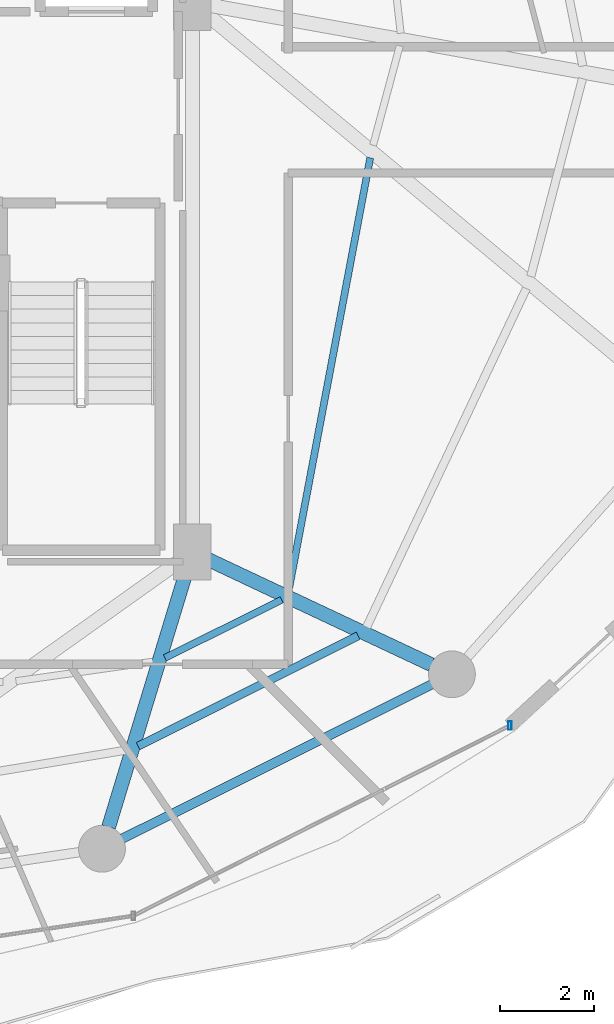
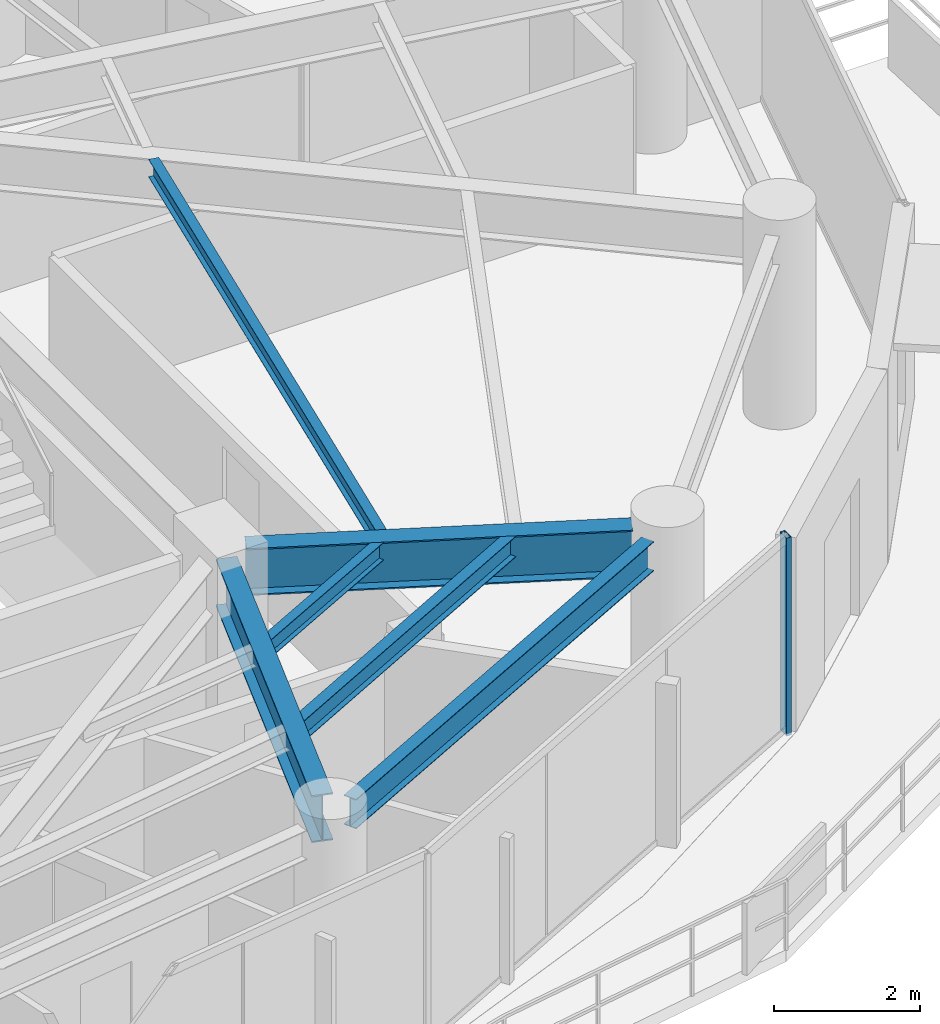
# One storey, part 12 of 31: 6 beams, 1 member, 1 element without a shape of its own.
"""IFC4 building model written with IfcOpenShell, lengths in metres."""

import ifcopenshell
import ifcopenshell.guid

model = None  # the IFC model being written
_history = None  # IfcOwnerHistory: only IFC2X3 demands one
_inside = {}  # id of a spatial element -> (the spatial element, [elements in it])
_under = {}  # id of a project, library or spatial element -> (it, [spatial elements below it])
_declared = {}  # id of a project -> (the project, [libraries it declares])
_typed = {}  # id of a type object -> (the type object, [elements of that type])
_made_of = {}  # id of a material, layer set ... -> (it, [elements and type objects made of it])


def new_model(schema):
    """Start an empty IFC model of exactly this schema.

    Asked for "IFC4X3", IfcOpenShell would pick the latest addendum, in which some entities
    have other attributes; the version numbers below select the first issue.
    IFC2X3 requires an IfcOwnerHistory on every rooted entity: one is made here for all.
    """
    global model, _history
    if schema == "IFC4X3":
        model = ifcopenshell.file(schema_version=(4, 3, 0, 0))
    else:
        model = ifcopenshell.file(schema=schema)
    _inside.clear()
    _under.clear()
    _declared.clear()
    _typed.clear()
    _made_of.clear()
    _history = None
    if model.schema == "IFC2X3":
        org = make("IfcOrganization", Name="unknown")
        user = make(
            "IfcPersonAndOrganization",
            ThePerson=make("IfcPerson", FamilyName="unknown"),
            TheOrganization=org,
        )
        app = make(
            "IfcApplication",
            ApplicationDeveloper=org,
            Version="unknown",
            ApplicationFullName="unknown",
            ApplicationIdentifier="unknown",
        )
        _history = make(
            "IfcOwnerHistory",
            OwningUser=user,
            OwningApplication=app,
            ChangeAction="ADDED",
            CreationDate=0,
        )
    return model


def make(cls, **values):
    """One entity of the class cls with the attributes given. An attribute that is None is left unset."""
    return model.create_entity(
        cls, **{name: value for name, value in values.items() if value is not None}
    )


def rooted(cls, **values):
    """An entity with a GlobalId (a new one), such as an element, a storey or a relation."""
    return make(cls, GlobalId=ifcopenshell.guid.new(), OwnerHistory=_history, **values)


def si_unit(unit_type, name, prefix=None):
    """IfcSIUnit, for example si_unit("LENGTHUNIT", "METRE", prefix="MILLI")."""
    return make("IfcSIUnit", UnitType=unit_type, Prefix=prefix, Name=name)


def assignment(units):
    """IfcUnitAssignment: the units of a project."""
    return None if units is None else make("IfcUnitAssignment", Units=units)


def point(xyz):
    """IfcCartesianPoint."""
    return None if xyz is None else make("IfcCartesianPoint", Coordinates=xyz)


def direction(xyz):
    """IfcDirection."""
    return None if xyz is None else make("IfcDirection", DirectionRatios=xyz)


def frame(location, z_axis=None, x_axis=None):
    """IfcAxis2Placement3D, a coordinate frame: its origin and axes. An axis left out is left unset."""
    return make(
        "IfcAxis2Placement3D",
        Location=point(location),
        Axis=direction(z_axis),
        RefDirection=direction(x_axis),
    )


def frame_2d(location, x_axis=None):
    """IfcAxis2Placement2D, a coordinate frame in the plane: its origin and x axis."""
    return make(
        "IfcAxis2Placement2D", Location=point(location), RefDirection=direction(x_axis)
    )


def origin():
    """The frame at (0, 0, 0) with its axes left unset."""
    return frame((0.0, 0.0, 0.0))


def origin_2d():
    """The frame at (0, 0) in the plane with its x axis left unset."""
    return frame_2d((0.0, 0.0))


def place(relative_to, where):
    """IfcLocalPlacement: puts the frame where relative to a parent placement (None: the world)."""
    return make(
        "IfcLocalPlacement", PlacementRelTo=relative_to, RelativePlacement=where
    )


def context(
    kind, dimensions, precision=None, world=None, true_north=None, identifier=None
):
    """IfcGeometricRepresentationContext, for example the 3D "Model" context."""
    return make(
        "IfcGeometricRepresentationContext",
        ContextIdentifier=identifier,
        ContextType=kind,
        CoordinateSpaceDimension=dimensions,
        Precision=precision,
        WorldCoordinateSystem=world,
        TrueNorth=true_north,
    )


def subcontext(parent, identifier, kind, view, scale=None):
    """IfcGeometricRepresentationSubContext, for example "Body" below "Model"."""
    return make(
        "IfcGeometricRepresentationSubContext",
        ContextIdentifier=identifier,
        ContextType=kind,
        ParentContext=parent,
        TargetScale=scale,
        TargetView=view,
    )


def project(units=None, contexts=None):
    """IfcProject with its units and contexts."""
    return rooted(
        "IfcProject",
        Name="project",
        RepresentationContexts=contexts,
        UnitsInContext=assignment(units),
    )


def spatial(cls, under=None, at=None, **own):
    """A site, building, storey or space (cls), placed at a placement, below another one or the project."""
    s = rooted(cls, ObjectPlacement=at, **own)
    if under is not None:
        _under.setdefault(under.id(), (under, []))[1].append(s)
    return s


def profile(cls, at=None, kind="AREA", **sizes):
    """A parametric profile (cls). Its sizes go by their IFC names, for example OverallWidth=200.0."""
    return make(cls, ProfileType=kind, Position=at, **sizes)


def hollow_rectangle(**sizes):
    """IfcRectangleHollowProfileDef."""
    return profile("IfcRectangleHollowProfileDef", **sizes)


def i_section(**sizes):
    """IfcIShapeProfileDef."""
    return profile("IfcIShapeProfileDef", **sizes)


def extrude(swept, where, along, depth):
    """IfcExtrudedAreaSolid: the profile swept, set in the frame where, extruded along a direction by depth."""
    return make(
        "IfcExtrudedAreaSolid",
        SweptArea=swept,
        Position=where,
        ExtrudedDirection=direction(along),
        Depth=depth,
    )


def shape(context_of_items, identifier, shape_type, items):
    """IfcShapeRepresentation: the items that make up one representation, for example the "Body"."""
    return make(
        "IfcShapeRepresentation",
        ContextOfItems=context_of_items,
        RepresentationIdentifier=identifier,
        RepresentationType=shape_type,
        Items=items,
    )


def material(Name=None, Category=None):
    """IfcMaterial."""
    return make("IfcMaterial", Name=Name, Category=Category)


def material_profile(
    of_material, cross_section, Name=None, Category=None, Priority=None
):
    """IfcMaterialProfile: a cross section and its material."""
    return make(
        "IfcMaterialProfile",
        Name=Name,
        Material=of_material,
        Profile=cross_section,
        Priority=Priority,
        Category=Category,
    )


def profile_set(profiles, Name=None, composite=None):
    """IfcMaterialProfileSet."""
    return make(
        "IfcMaterialProfileSet",
        Name=Name,
        MaterialProfiles=profiles,
        CompositeProfile=composite,
    )


def made_of(thing, what):
    """Note that an element or type object is made of a material, layer set ...; save() writes the relation."""
    if what is not None:
        _made_of.setdefault(what.id(), (what, []))[1].append(thing)
    return thing


def type_object(cls, material=None, **own):
    """A type object (cls), such as IfcWallType, which elements share."""
    return made_of(rooted(cls, **own), material)


def element(
    cls,
    number,
    at=None,
    inside=None,
    cuts=None,
    type_object=None,
    material=None,
    context=None,
    identifier="Body",
    shape_type=None,
    held_by="IfcProductDefinitionShape",
    body=None,
    shapes=None,
    **own,
):
    """One element of the class cls, such as IfcWall. Its Tag is "e" and its number.

    at: its placement. inside: the storey or other place that contains it. cuts: it is an
    opening in that element (IfcRelVoidsElement). A single representation is given by context,
    identifier, shape_type and body (its items); several are given by shapes. held_by: the class
    of the entity that holds the representations. save() writes the other relations.
    """
    e = rooted(cls, Tag="e%d" % number, ObjectPlacement=at, **own)
    if body is not None:
        shapes = [shape(context, identifier, shape_type, body)]
    if shapes is not None:
        e.Representation = make(held_by, Representations=shapes)
    if inside is not None:
        _inside.setdefault(inside.id(), (inside, []))[1].append(e)
    if cuts is not None:
        rooted(
            "IfcRelVoidsElement", RelatingBuildingElement=cuts, RelatedOpeningElement=e
        )
    if type_object is not None:
        _typed.setdefault(type_object.id(), (type_object, []))[1].append(e)
    return made_of(e, material)


def aggregate(whole, parts):
    """IfcRelAggregates: a whole, such as a stair, and the parts it consists of."""
    return rooted("IfcRelAggregates", RelatingObject=whole, RelatedObjects=parts)


def save(model, path):
    """Write the relations noted so far, then the file.

    IfcRelAggregates (storeys below a building ...), IfcRelContainedInSpatialStructure (elements
    in a storey), IfcRelDefinesByType, IfcRelAssociatesMaterial and IfcRelDeclares: one each for
    every whole, place, type object, material and project.
    """
    for whole, parts in _under.values():
        aggregate(whole, parts)
    for where, things in _inside.values():
        rooted(
            "IfcRelContainedInSpatialStructure",
            RelatedElements=things,
            RelatingStructure=where,
        )
    for kind, things in _typed.values():
        rooted("IfcRelDefinesByType", RelatedObjects=things, RelatingType=kind)
    for what, things in _made_of.values():
        rooted("IfcRelAssociatesMaterial", RelatedObjects=things, RelatingMaterial=what)
    for by, libraries in _declared.values():
        rooted("IfcRelDeclares", RelatingContext=by, RelatedDefinitions=libraries)
    model.write(path)


model = new_model("IFC4")

# Units and contexts
model_context = context("Model", 3, precision=1e-05, world=origin(), true_north=direction((0.0, 1.0)))
body_context = subcontext(model_context, "Body", "Model", "MODEL_VIEW")
ifc_project = project(units=[si_unit("LENGTHUNIT", "METRE"), si_unit("AREAUNIT", "SQUARE_METRE"), si_unit("VOLUMEUNIT", "CUBIC_METRE"), si_unit("PLANEANGLEUNIT", "RADIAN"), si_unit("MASSUNIT", "GRAM", prefix="KILO")], contexts=[model_context])

# Site, building, storey
site_placement = place(None, origin())
site = spatial("IfcSite", under=ifc_project, at=site_placement, CompositionType="ELEMENT")
building_placement = place(site_placement, origin())
building = spatial("IfcBuilding", under=site, at=building_placement, Name="Vorneva Point Tower", CompositionType="ELEMENT")
storey_placement = place(building_placement, frame((0.0, 0.0, 129.10009765625)))
storey = spatial("IfcBuildingStorey", under=building, at=storey_placement, Name="L34", CompositionType="ELEMENT", Elevation=129.10009765625)

# Beams
ifc_material_1 = material(Name="Steel S355", Category="steel")
ifc_material_profile_1 = material_profile(ifc_material_1, i_section(OverallWidth=0.300048828125, OverallDepth=0.7880859375, WebThickness=0.014404296875, FlangeThickness=0.02197265625, at=origin_2d()), Name="80Sh1")
ifc_profile_set_1 = profile_set([ifc_material_profile_1], Name="Steel S355")
beam_type_1 = type_object("IfcBeamType", Name="BM-GRD-80Sh1", PredefinedType="USERDEFINED", material=ifc_profile_set_1)
beam_1_placement = place(storey_placement, frame((46.962890625, 10.576171875, 2.845947265625), z_axis=(0.291049382966, 0.95670803105, 0.0), x_axis=(-0.95670803105, 0.291049382966, 0.0)))
element("IfcBeam", 1, at=beam_1_placement, inside=storey, type_object=beam_type_1, Name="L34 Radial Primary Girder 14", ObjectType="GIRDER", PredefinedType="USERDEFINED", context=body_context, shape_type="SweptSolid", body=[
    extrude(i_section(OverallWidth=0.300048828125, OverallDepth=0.7880859375, WebThickness=0.014404296875, FlangeThickness=0.02197265625, at=origin_2d()), origin(), (0.0, 0.0, 1.0), 5.799560546875),
])
beam_2_placement = place(storey_placement, frame((53.857421875, 14.045654296875, 2.845947265625), z_axis=(-0.904761331435, 0.425918927896, 0.0), x_axis=(-0.425918927896, -0.904761331435, 0.0)))
element("IfcBeam", 2, at=beam_2_placement, inside=storey, type_object=beam_type_1, Name="L34 Radial Primary Girder 15", ObjectType="GIRDER", PredefinedType="USERDEFINED", context=body_context, shape_type="SweptSolid", body=[
    extrude(i_section(OverallWidth=0.300048828125, OverallDepth=0.7880859375, WebThickness=0.014404296875, FlangeThickness=0.02197265625, at=origin_2d()), origin(), (0.0, 0.0, 1.0), 5.304931640625),
])
ifc_material_profile_2 = material_profile(ifc_material_1, i_section(OverallWidth=0.14892578125, OverallDepth=0.298095703125, WebThickness=0.005615234375, FlangeThickness=0.008056640625, at=origin_2d()), Name="30B1")
ifc_profile_set_2 = profile_set([ifc_material_profile_2], Name="Steel S355")
beam_type_2 = type_object("IfcBeamType", Name="BM-JST-30B1", PredefinedType="JOIST", material=ifc_profile_set_2)
beam_3_placement = place(storey_placement, frame((48.166748046875, 14.188720703125, 3.0908203125), z_axis=(0.895266564534, 0.445530895031, 0.0), x_axis=(-0.445530895031, 0.895266564534, 0.0)))
element("IfcBeam", 3, at=beam_3_placement, inside=storey, type_object=beam_type_2, Name="L34 Secondary Floor Beam 2.14", PredefinedType="JOIST", context=body_context, shape_type="SweptSolid", body=[
    extrude(i_section(OverallWidth=0.14892578125, OverallDepth=0.298095703125, WebThickness=0.005615234375, FlangeThickness=0.008056640625, at=origin_2d()), origin(), (0.0, 0.0, 1.0), 2.787109375),
])
beam_4_placement = place(storey_placement, frame((50.81103515625, 15.62744140625, 3.0908203125), z_axis=(0.185093544859, 0.982720906286, 0.0), x_axis=(-0.982720906286, 0.185093544859, 0.0)))
element("IfcBeam", 4, at=beam_4_placement, inside=storey, type_object=beam_type_2, Name="L34 Secondary Floor Beam 2.15", PredefinedType="JOIST", context=body_context, shape_type="SweptSolid", body=[
    extrude(i_section(OverallWidth=0.14892578125, OverallDepth=0.298095703125, WebThickness=0.005615234375, FlangeThickness=0.008056640625, at=origin_2d()), origin(), (0.0, 0.0, 1.0), 9.4111328125),
])
ifc_material_profile_3 = material_profile(ifc_material_1, i_section(OverallWidth=0.174072265625, OverallDepth=0.345947265625, WebThickness=0.006103515625, FlangeThickness=0.009033203125, at=origin_2d()), Name="35B1")
ifc_profile_set_3 = profile_set([ifc_material_profile_3], Name="Steel S355")
beam_type_3 = type_object("IfcBeamType", Name="BM-SEC-35B1", PredefinedType="BEAM", material=ifc_profile_set_3)
beam_5_placement = place(storey_placement, frame((47.5927734375, 12.302490234375, 3.06689453125), z_axis=(0.893776430112, 0.44851275676, 0.0), x_axis=(-0.44851275676, 0.893776430112, 0.0)))
element("IfcBeam", 5, at=beam_5_placement, inside=storey, type_object=beam_type_3, Name="L34 Secondary Floor Beam 1.14", PredefinedType="BEAM", context=body_context, shape_type="SweptSolid", body=[
    extrude(i_section(OverallWidth=0.174072265625, OverallDepth=0.345947265625, WebThickness=0.006103515625, FlangeThickness=0.009033203125, at=origin_2d()), origin(), (0.0, 0.0, 1.0), 5.260009765625),
])
ifc_material_profile_4 = material_profile(ifc_material_1, i_section(OverallWidth=0.199951171875, OverallDepth=0.491943359375, WebThickness=0.0087890625, FlangeThickness=0.011962890625, at=origin_2d()), Name="50B1")
ifc_profile_set_4 = profile_set([ifc_material_profile_4], Name="Steel S355")
beam_type_4 = type_object("IfcBeamType", Name="BM-SPN-50B1", PredefinedType="SPANDREL", material=ifc_profile_set_4)
beam_6_placement = place(storey_placement, frame((47.2548828125, 10.32568359375, 2.993896484375), z_axis=(0.894929061397, 0.446208443518, 0.0), x_axis=(-0.446208443518, 0.894929061397, 0.0)))
element("IfcBeam", 6, at=beam_6_placement, inside=storey, type_object=beam_type_4, Name="L34 Perimeter Spandrel Ring Beam 14", PredefinedType="SPANDREL", context=body_context, shape_type="SweptSolid", body=[
    extrude(i_section(OverallWidth=0.199951171875, OverallDepth=0.491943359375, WebThickness=0.0087890625, FlangeThickness=0.011962890625, at=origin_2d()), origin(), (0.0, 0.0, 1.0), 7.385986328125),
])

# Curtain wall, member
ifc_material_2 = material(Name="Pale anodised aluminium", Category="aluminium")
curtain_wall_type = type_object("IfcCurtainWallType", Name="CW-RES-SYS", PredefinedType="NOTDEFINED", material=ifc_material_2)
curtain_wall_placement = place(storey_placement, origin())
curtain_wall = element("IfcCurtainWall", 7, at=curtain_wall_placement, inside=storey, type_object=curtain_wall_type, Name="L34 Unitised Curtain Wall CW-L34-R04", PredefinedType="NOTDEFINED")
ifc_material_profile_5 = material_profile(ifc_material_2, hollow_rectangle(XDim=0.074951171875, YDim=0.179931640625, WallThickness=0.00390625, at=origin_2d()), Name="AL-MUL 180x75x4")
ifc_profile_set_5 = profile_set([ifc_material_profile_5], Name="Pale anodised aluminium")
member_type = type_object("IfcMemberType", Name="CW-MUL-180", PredefinedType="MULLION", material=ifc_profile_set_5)
member_placement = place(storey_placement, frame((55.5361328125, 12.74169921875, -0.0400390625), z_axis=(0.0, 0.0, 1.0), x_axis=(1.0, 0.0, 0.0)))
member = element("IfcMember", 8, at=member_placement, type_object=member_type, Name="CW-L34-R04 Mullion 05", PredefinedType="MULLION", context=body_context, shape_type="SweptSolid", body=[
    extrude(hollow_rectangle(XDim=0.074951171875, YDim=0.179931640625, WallThickness=0.00390625, at=origin_2d()), origin(), (0.0, 0.0, 1.0), 3.31005859375),
])
aggregate(curtain_wall, [member])

save(model, "model.ifc")
